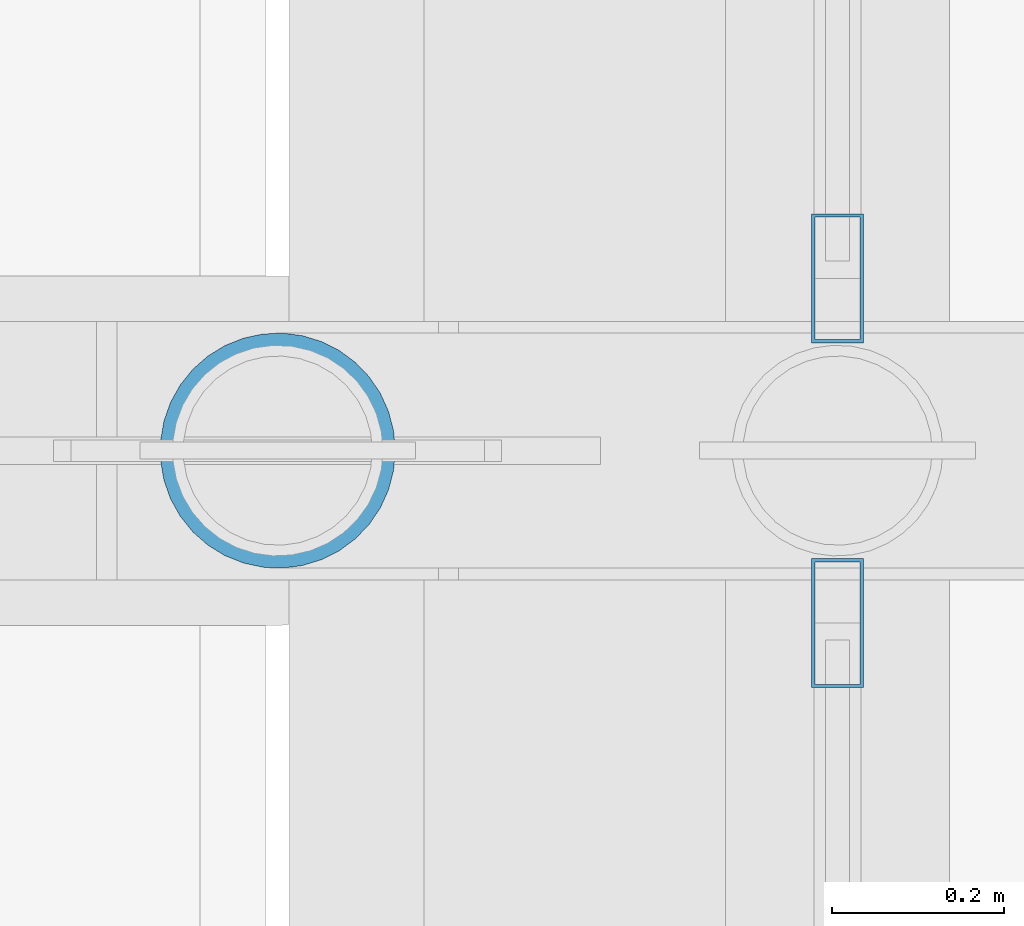
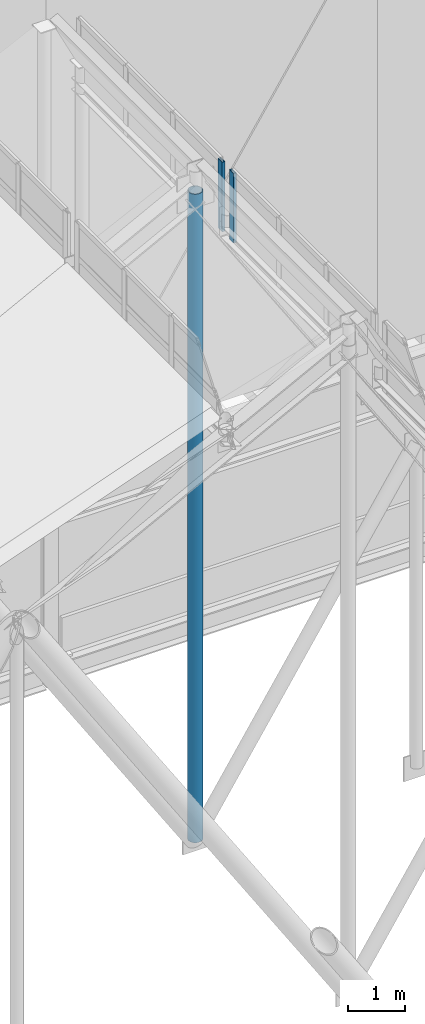
# One storey, part 23 of 84: 3 members, 2 elements without a shape of their own.
"""IFC4 building model written with IfcOpenShell, lengths in metres."""

import ifcopenshell
import ifcopenshell.guid

model = None  # the IFC model being written
_history = None  # IfcOwnerHistory: only IFC2X3 demands one
_inside = {}  # id of a spatial element -> (the spatial element, [elements in it])
_under = {}  # id of a project, library or spatial element -> (it, [spatial elements below it])
_declared = {}  # id of a project -> (the project, [libraries it declares])
_typed = {}  # id of a type object -> (the type object, [elements of that type])
_made_of = {}  # id of a material, layer set ... -> (it, [elements and type objects made of it])


def new_model(schema):
    """Start an empty IFC model of exactly this schema.

    Asked for "IFC4X3", IfcOpenShell would pick the latest addendum, in which some entities
    have other attributes; the version numbers below select the first issue.
    IFC2X3 requires an IfcOwnerHistory on every rooted entity: one is made here for all.
    """
    global model, _history
    if schema == "IFC4X3":
        model = ifcopenshell.file(schema_version=(4, 3, 0, 0))
    else:
        model = ifcopenshell.file(schema=schema)
    _inside.clear()
    _under.clear()
    _declared.clear()
    _typed.clear()
    _made_of.clear()
    _history = None
    if model.schema == "IFC2X3":
        org = make("IfcOrganization", Name="unknown")
        user = make(
            "IfcPersonAndOrganization",
            ThePerson=make("IfcPerson", FamilyName="unknown"),
            TheOrganization=org,
        )
        app = make(
            "IfcApplication",
            ApplicationDeveloper=org,
            Version="unknown",
            ApplicationFullName="unknown",
            ApplicationIdentifier="unknown",
        )
        _history = make(
            "IfcOwnerHistory",
            OwningUser=user,
            OwningApplication=app,
            ChangeAction="ADDED",
            CreationDate=0,
        )
    return model


def make(cls, **values):
    """One entity of the class cls with the attributes given. An attribute that is None is left unset."""
    return model.create_entity(
        cls, **{name: value for name, value in values.items() if value is not None}
    )


def rooted(cls, **values):
    """An entity with a GlobalId (a new one), such as an element, a storey or a relation."""
    return make(cls, GlobalId=ifcopenshell.guid.new(), OwnerHistory=_history, **values)


def si_unit(unit_type, name, prefix=None):
    """IfcSIUnit, for example si_unit("LENGTHUNIT", "METRE", prefix="MILLI")."""
    return make("IfcSIUnit", UnitType=unit_type, Prefix=prefix, Name=name)


def assignment(units):
    """IfcUnitAssignment: the units of a project."""
    return None if units is None else make("IfcUnitAssignment", Units=units)


def point(xyz):
    """IfcCartesianPoint."""
    return None if xyz is None else make("IfcCartesianPoint", Coordinates=xyz)


def direction(xyz):
    """IfcDirection."""
    return None if xyz is None else make("IfcDirection", DirectionRatios=xyz)


def frame(location, z_axis=None, x_axis=None):
    """IfcAxis2Placement3D, a coordinate frame: its origin and axes. An axis left out is left unset."""
    return make(
        "IfcAxis2Placement3D",
        Location=point(location),
        Axis=direction(z_axis),
        RefDirection=direction(x_axis),
    )


def frame_2d(location, x_axis=None):
    """IfcAxis2Placement2D, a coordinate frame in the plane: its origin and x axis."""
    return make(
        "IfcAxis2Placement2D", Location=point(location), RefDirection=direction(x_axis)
    )


def origin():
    """The frame at (0, 0, 0) with its axes left unset."""
    return frame((0.0, 0.0, 0.0))


def origin_2d():
    """The frame at (0, 0) in the plane with its x axis left unset."""
    return frame_2d((0.0, 0.0))


def place(relative_to, where):
    """IfcLocalPlacement: puts the frame where relative to a parent placement (None: the world)."""
    return make(
        "IfcLocalPlacement", PlacementRelTo=relative_to, RelativePlacement=where
    )


def context(
    kind, dimensions, precision=None, world=None, true_north=None, identifier=None
):
    """IfcGeometricRepresentationContext, for example the 3D "Model" context."""
    return make(
        "IfcGeometricRepresentationContext",
        ContextIdentifier=identifier,
        ContextType=kind,
        CoordinateSpaceDimension=dimensions,
        Precision=precision,
        WorldCoordinateSystem=world,
        TrueNorth=true_north,
    )


def subcontext(parent, identifier, kind, view, scale=None):
    """IfcGeometricRepresentationSubContext, for example "Body" below "Model"."""
    return make(
        "IfcGeometricRepresentationSubContext",
        ContextIdentifier=identifier,
        ContextType=kind,
        ParentContext=parent,
        TargetScale=scale,
        TargetView=view,
    )


def project(units=None, contexts=None):
    """IfcProject with its units and contexts."""
    return rooted(
        "IfcProject",
        Name="project",
        RepresentationContexts=contexts,
        UnitsInContext=assignment(units),
    )


def spatial(cls, under=None, at=None, **own):
    """A site, building, storey or space (cls), placed at a placement, below another one or the project."""
    s = rooted(cls, ObjectPlacement=at, **own)
    if under is not None:
        _under.setdefault(under.id(), (under, []))[1].append(s)
    return s


def profile(cls, at=None, kind="AREA", **sizes):
    """A parametric profile (cls). Its sizes go by their IFC names, for example OverallWidth=200.0."""
    return make(cls, ProfileType=kind, Position=at, **sizes)


def hollow_rectangle(**sizes):
    """IfcRectangleHollowProfileDef."""
    return profile("IfcRectangleHollowProfileDef", **sizes)


def hollow_circle(**sizes):
    """IfcCircleHollowProfileDef."""
    return profile("IfcCircleHollowProfileDef", **sizes)


def extrude(swept, where, along, depth):
    """IfcExtrudedAreaSolid: the profile swept, set in the frame where, extruded along a direction by depth."""
    return make(
        "IfcExtrudedAreaSolid",
        SweptArea=swept,
        Position=where,
        ExtrudedDirection=direction(along),
        Depth=depth,
    )


def shape(context_of_items, identifier, shape_type, items):
    """IfcShapeRepresentation: the items that make up one representation, for example the "Body"."""
    return make(
        "IfcShapeRepresentation",
        ContextOfItems=context_of_items,
        RepresentationIdentifier=identifier,
        RepresentationType=shape_type,
        Items=items,
    )


def material(Name=None, Category=None):
    """IfcMaterial."""
    return make("IfcMaterial", Name=Name, Category=Category)


def layer(
    of_material, thickness, ventilated=None, Name=None, Category=None, Priority=None
):
    """IfcMaterialLayer: one layer of a wall or slab, of a material (None: an air gap)."""
    return make(
        "IfcMaterialLayer",
        Material=of_material,
        LayerThickness=thickness,
        IsVentilated=ventilated,
        Name=Name,
        Category=Category,
        Priority=Priority,
    )


def layer_set(layers, Name=None):
    """IfcMaterialLayerSet."""
    return make("IfcMaterialLayerSet", MaterialLayers=layers, LayerSetName=Name)


def material_profile(
    of_material, cross_section, Name=None, Category=None, Priority=None
):
    """IfcMaterialProfile: a cross section and its material."""
    return make(
        "IfcMaterialProfile",
        Name=Name,
        Material=of_material,
        Profile=cross_section,
        Priority=Priority,
        Category=Category,
    )


def profile_set(profiles, Name=None, composite=None):
    """IfcMaterialProfileSet."""
    return make(
        "IfcMaterialProfileSet",
        Name=Name,
        MaterialProfiles=profiles,
        CompositeProfile=composite,
    )


def made_of(thing, what):
    """Note that an element or type object is made of a material, layer set ...; save() writes the relation."""
    if what is not None:
        _made_of.setdefault(what.id(), (what, []))[1].append(thing)
    return thing


def type_object(cls, material=None, **own):
    """A type object (cls), such as IfcWallType, which elements share."""
    return made_of(rooted(cls, **own), material)


def element(
    cls,
    number,
    at=None,
    inside=None,
    cuts=None,
    type_object=None,
    material=None,
    context=None,
    identifier="Body",
    shape_type=None,
    held_by="IfcProductDefinitionShape",
    body=None,
    shapes=None,
    **own,
):
    """One element of the class cls, such as IfcWall. Its Tag is "e" and its number.

    at: its placement. inside: the storey or other place that contains it. cuts: it is an
    opening in that element (IfcRelVoidsElement). A single representation is given by context,
    identifier, shape_type and body (its items); several are given by shapes. held_by: the class
    of the entity that holds the representations. save() writes the other relations.
    """
    e = rooted(cls, Tag="e%d" % number, ObjectPlacement=at, **own)
    if body is not None:
        shapes = [shape(context, identifier, shape_type, body)]
    if shapes is not None:
        e.Representation = make(held_by, Representations=shapes)
    if inside is not None:
        _inside.setdefault(inside.id(), (inside, []))[1].append(e)
    if cuts is not None:
        rooted(
            "IfcRelVoidsElement", RelatingBuildingElement=cuts, RelatedOpeningElement=e
        )
    if type_object is not None:
        _typed.setdefault(type_object.id(), (type_object, []))[1].append(e)
    return made_of(e, material)


def aggregate(whole, parts):
    """IfcRelAggregates: a whole, such as a stair, and the parts it consists of."""
    return rooted("IfcRelAggregates", RelatingObject=whole, RelatedObjects=parts)


def save(model, path):
    """Write the relations noted so far, then the file.

    IfcRelAggregates (storeys below a building ...), IfcRelContainedInSpatialStructure (elements
    in a storey), IfcRelDefinesByType, IfcRelAssociatesMaterial and IfcRelDeclares: one each for
    every whole, place, type object, material and project.
    """
    for whole, parts in _under.values():
        aggregate(whole, parts)
    for where, things in _inside.values():
        rooted(
            "IfcRelContainedInSpatialStructure",
            RelatedElements=things,
            RelatingStructure=where,
        )
    for kind, things in _typed.values():
        rooted("IfcRelDefinesByType", RelatedObjects=things, RelatingType=kind)
    for what, things in _made_of.values():
        rooted("IfcRelAssociatesMaterial", RelatedObjects=things, RelatingMaterial=what)
    for by, libraries in _declared.values():
        rooted("IfcRelDeclares", RelatingContext=by, RelatedDefinitions=libraries)
    model.write(path)


model = new_model("IFC4")

# Units and contexts
model_context = context("Model", 3, precision=1e-05, world=origin(), true_north=direction((0.0, 1.0)))
body_context = subcontext(model_context, "Body", "Model", "MODEL_VIEW")
ifc_project = project(units=[si_unit("LENGTHUNIT", "METRE"), si_unit("AREAUNIT", "SQUARE_METRE"), si_unit("VOLUMEUNIT", "CUBIC_METRE"), si_unit("PLANEANGLEUNIT", "RADIAN"), si_unit("MASSUNIT", "GRAM", prefix="KILO")], contexts=[model_context])

# Site, building, storey
site_placement = place(None, origin())
site = spatial("IfcSite", under=ifc_project, at=site_placement, CompositionType="ELEMENT")
building_placement = place(site_placement, origin())
building = spatial("IfcBuilding", under=site, at=building_placement, Name="Sundgate Opera House", CompositionType="ELEMENT")
storey_placement = place(building_placement, frame((0.0, 0.0, 30.60009765625)))
storey = spatial("IfcBuildingStorey", under=building, at=storey_placement, Name="L06", CompositionType="ELEMENT", Elevation=30.60009765625)

# Curtain wall, member
ifc_material_1 = material(Name="Anodized aluminium and low-iron glass", Category="aluminium")
ifc_layer = layer(ifc_material_1, 0.169921875)
ifc_layer_set = layer_set([ifc_layer], Name="Anodized aluminium and low-iron glass")
curtain_wall_type = type_object("IfcCurtainWallType", Name="CW-LANTERN-POLY", PredefinedType="NOTDEFINED", material=ifc_layer_set)
curtain_wall_1_placement = place(storey_placement, origin())
curtain_wall_1 = element("IfcCurtainWall", 1, at=curtain_wall_1_placement, inside=storey, type_object=curtain_wall_type, Name="L06 Curtain Wall CW176", PredefinedType="NOTDEFINED")
ifc_material_2 = material(Name="Anodized aluminium EN AW-6063", Category="aluminium")
ifc_material_profile_1 = material_profile(ifc_material_2, hollow_rectangle(XDim=0.06005859375, YDim=0.14990234375, WallThickness=0.00390625, at=origin_2d()), Name="CWM 150x60x4")
ifc_profile_set_1 = profile_set([ifc_material_profile_1], Name="Anodized aluminium EN AW-6063")
member_type_1 = type_object("IfcMemberType", Name="CWM-ALU-150x60", PredefinedType="MULLION", material=ifc_profile_set_1)
member_1_placement = place(storey_placement, frame((54.64990234375, 54.39990234375, 12.0), z_axis=(0.0, 0.0, 1.0), x_axis=(1.0, 0.0, 0.0)))
member_1 = element("IfcMember", 2, at=member_1_placement, type_object=member_type_1, Name="CW176 Mullion 4", PredefinedType="MULLION", context=body_context, shape_type="SweptSolid", body=[
    extrude(hollow_rectangle(XDim=0.06005859375, YDim=0.14990234375, WallThickness=0.00390625, at=origin_2d()), origin(), (0.0, 0.0, 1.0), 1.5),
])
aggregate(curtain_wall_1, [member_1])

curtain_wall_2_placement = place(storey_placement, origin())
curtain_wall_2 = element("IfcCurtainWall", 3, at=curtain_wall_2_placement, inside=storey, type_object=curtain_wall_type, Name="L06 Curtain Wall CW178", PredefinedType="NOTDEFINED")
member_2_placement = place(storey_placement, frame((54.64990234375, 54.800048828125, 12.0), z_axis=(0.0, 0.0, 1.0), x_axis=(1.0, 0.0, 0.0)))
member_2 = element("IfcMember", 4, at=member_2_placement, type_object=member_type_1, Name="CW178 Mullion 1", PredefinedType="MULLION", context=body_context, shape_type="SweptSolid", body=[
    extrude(hollow_rectangle(XDim=0.06005859375, YDim=0.14990234375, WallThickness=0.00390625, at=origin_2d()), origin(), (0.0, 0.0, 1.0), 1.5),
])
aggregate(curtain_wall_2, [member_2])

# Member
ifc_material_3 = material(Name="Steel S355J2", Category="steel")
ifc_material_profile_2 = material_profile(ifc_material_3, hollow_circle(Radius=0.136474609375, WallThickness=0.01611328125, at=origin_2d()), Name="CHS 273.0x16.0")
ifc_profile_set_2 = profile_set([ifc_material_profile_2], Name="Steel S355J2")
member_type_2 = type_object("IfcMemberType", Name="MB-STRUT-CHS273", PredefinedType="STRUT", material=ifc_profile_set_2)
member_3_placement = place(storey_placement, frame((54.0, 54.60009765625, -0.760009765625), z_axis=(0.0, 0.0, 1.0), x_axis=(1.0, 0.0, 0.0)))
element("IfcMember", 5, at=member_3_placement, inside=storey, type_object=member_type_2, Name="L06 Auditorium Truss Vertical Post M0118", PredefinedType="STRUT", context=body_context, shape_type="SweptSolid", body=[
    extrude(hollow_circle(Radius=0.136474609375, WallThickness=0.01611328125, at=origin_2d()), origin(), (0.0, 0.0, 1.0), 13.9599609375),
])

save(model, "model.ifc")
